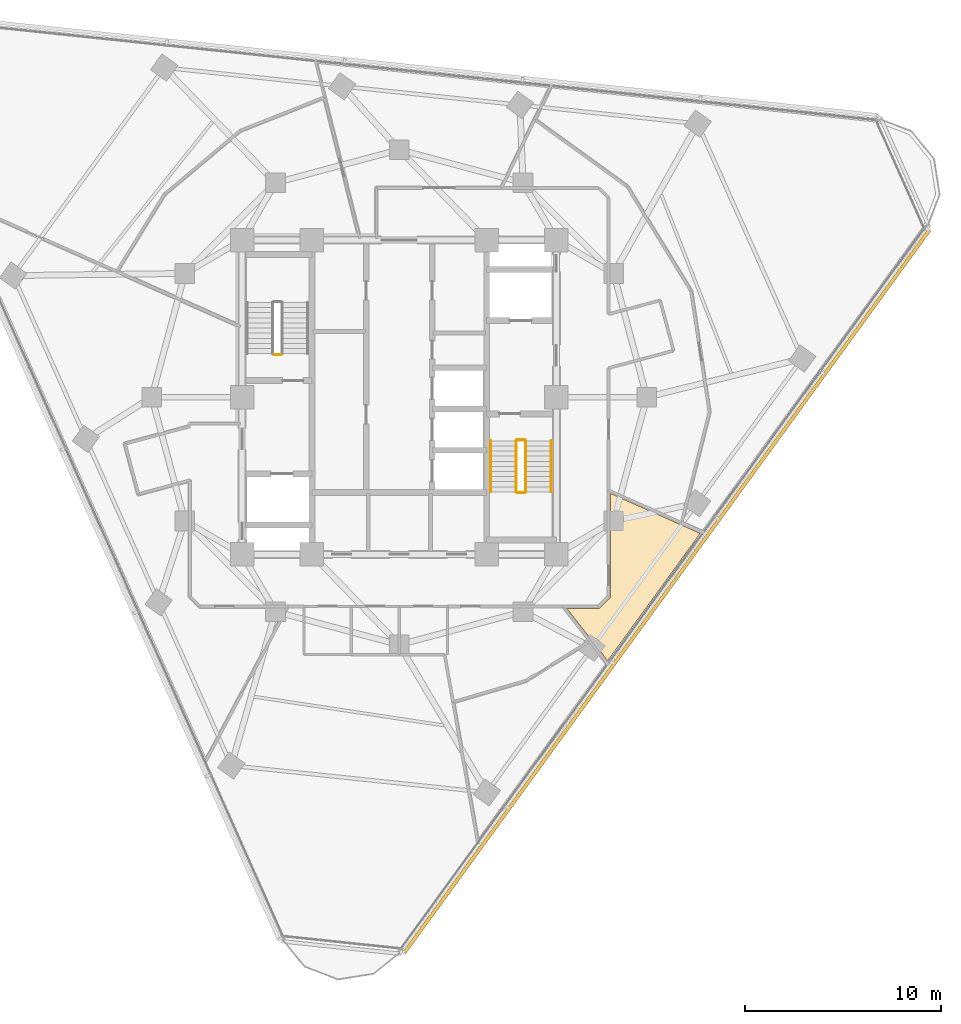
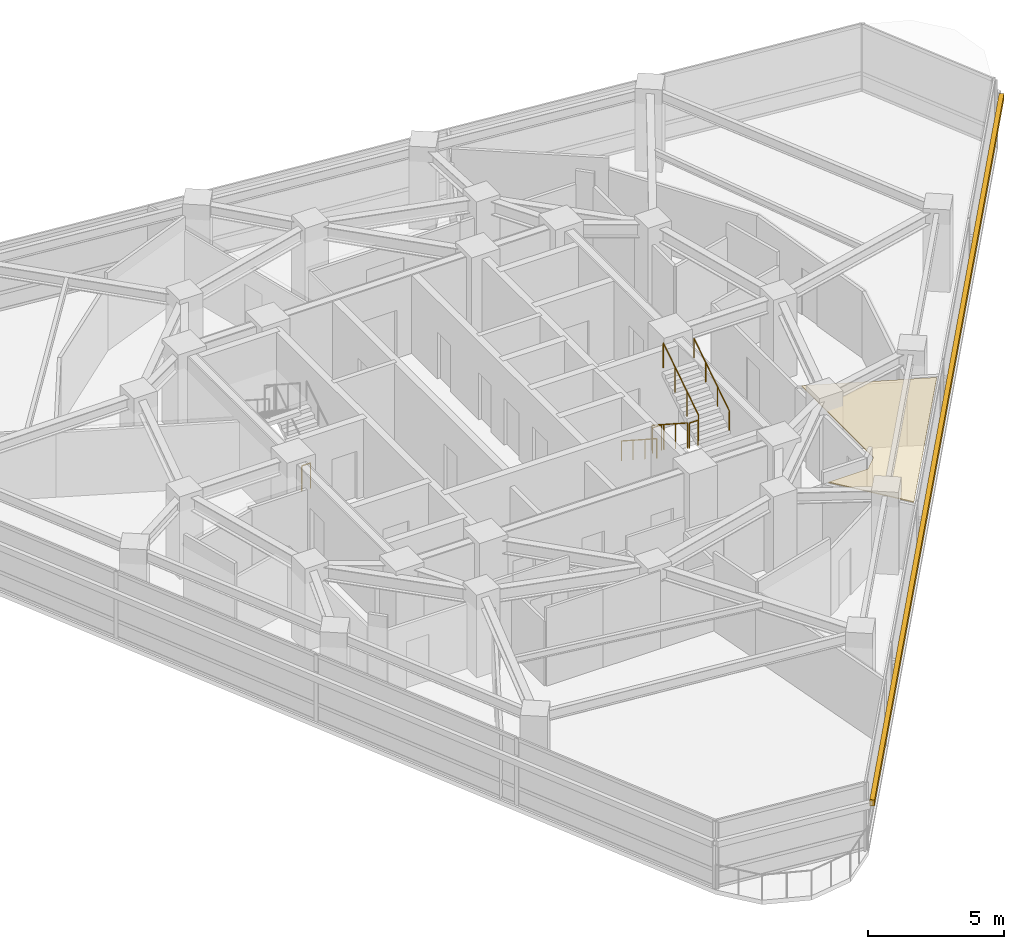
# One storey, part 13 of 15: 7 railings, 1 covering, 1 shading device.
"""IFC4 building model written with IfcOpenShell, lengths in metres."""

from ifc_helpers import new_model, si_unit, direction, frame, origin, origin_2d, place, context, subcontext, project, spatial, polyline, rectangle, circle, outline, extrude, material, layer, layer_set, type_object, element, save


model = new_model("IFC4")

# Units and contexts
model_context = context("Model", 3, precision=1e-05, world=origin(), true_north=direction((0.0, 1.0)))
body_context = subcontext(model_context, "Body", "Model", "MODEL_VIEW")
ifc_project = project(units=[si_unit("LENGTHUNIT", "METRE"), si_unit("AREAUNIT", "SQUARE_METRE"), si_unit("VOLUMEUNIT", "CUBIC_METRE"), si_unit("PLANEANGLEUNIT", "RADIAN"), si_unit("MASSUNIT", "GRAM", prefix="KILO")], contexts=[model_context])

# Site, building, storey
site_placement = place(None, origin())
site = spatial("IfcSite", under=ifc_project, at=site_placement, CompositionType="ELEMENT")
building_placement = place(site_placement, origin())
building = spatial("IfcBuilding", under=site, at=building_placement, Name="Terralouvre Media Tower", CompositionType="ELEMENT")
storey_placement = place(building_placement, frame((0.0, 0.0, 233.699951171875)))
storey = spatial("IfcBuildingStorey", under=building, at=storey_placement, Name="L60", CompositionType="ELEMENT", Elevation=233.699951171875)

# Covering
ifc_material_1 = material(Name="Perforated aluminium acoustic ceiling baffle", Category="aluminium")
ifc_layer_1 = layer(ifc_material_1, 0.0400390625, Name="Perforated Acoustic Metal Tile Ceiling CL-AC1")
ifc_layer_set_1 = layer_set([ifc_layer_1], Name="Perforated aluminium acoustic ceiling baffle")
covering_type = type_object("IfcCoveringType", Name="Perforated Acoustic Metal Tile Ceiling CL-AC1", PredefinedType="CEILING", material=ifc_layer_set_1)
covering_placement = place(storey_placement, frame((0.0, 0.0, 2.97998046875), z_axis=(0.0, 0.0, 1.0), x_axis=(0.587785252292, 0.809016994375, 0.0)))
element("IfcCovering", 1, at=covering_placement, inside=storey, type_object=covering_type, Name="L60 OSINT Verification Control Room 6 Acoustic Ceiling", PredefinedType="CEILING", context=body_context, shape_type="SweptSolid", body=[
    extrude(outline(polyline([(2.357666015625, -11.57470703125), (-1.892822265625, -14.662841796875), (-1.901123046875, -14.668212890625), (-1.90966796875, -14.6728515625), (-1.918701171875, -14.676513671875), (-1.92822265625, -14.67919921875), (-1.93798828125, -14.68115234375), (-1.94775390625, -14.681884765625), (-1.95751953125, -14.681884765625), (-1.96728515625, -14.680908203125), (-2.665771484375, -14.570068359375), (-2.67529296875, -14.568115234375), (-2.6845703125, -14.565185546875), (-2.693603515625, -14.561279296875), (-2.7021484375, -14.556640625), (-2.71044921875, -14.55126953125), (-2.718017578125, -14.544921875), (-2.724853515625, -14.537841796875), (-2.73095703125, -14.5302734375), (-3.685546875, -13.21630859375), (-4.245361328125, -15.166748046875), (-4.6171875, -16.46435546875), (3.397705078125, -16.46484375), (3.1708984375, -15.399658203125), (2.357666015625, -11.57470703125)])), origin(), (0.0, 0.0, 1.0), 0.0400390625),
])

# Railings
ifc_material_2 = material(Name="Stainless steel 316 handrail and balustrade", Category="steel")
ifc_layer_2 = layer(ifc_material_2, 0.050048828125, Name="Stair Flight Wall Handrail HR-INT1")
ifc_layer_set_2 = layer_set([ifc_layer_2], Name="Stainless steel 316 handrail and balustrade")
railing_type_1 = type_object("IfcRailingType", Name="Stair Flight Wall Handrail HR-INT1", PredefinedType="HANDRAIL", material=ifc_layer_set_2)
railing_1_placement = place(storey_placement, frame((4.64990234375, -2.219970703125, 0.168212890625)))
element("IfcRailing", 2, at=railing_1_placement, inside=storey, type_object=railing_type_1, Name="L60 ST-02 stair handrail 1", PredefinedType="HANDRAIL", context=body_context, shape_type="SweptSolid", body=[
    extrude(circle(Radius=0.02392578125, at=origin_2d()), frame((0.0, 0.0, 0.8759765625), z_axis=(0.0, -0.839648411786, 0.543130320075), x_axis=(1.0, 0.0, 0.0)), (0.0, 0.0, 1.0), 3.0966796875),
    extrude(circle(Radius=0.02099609375, at=origin_2d()), origin(), (0.0, 0.0, 1.0), 0.851806640625),
    extrude(circle(Radius=0.02099609375, at=origin_2d()), frame((0.0, -0.86669921875, 0.560546875)), (0.0, 0.0, 1.0), 0.851806640625),
    extrude(circle(Radius=0.02099609375, at=origin_2d()), frame((0.0, -1.7333984375, 1.121337890625)), (0.0, 0.0, 1.0), 0.851806640625),
    extrude(circle(Radius=0.02099609375, at=origin_2d()), frame((0.0, -2.60009765625, 1.681884765625)), (0.0, 0.0, 1.0), 0.851806640625),
])
railing_2_placement = place(storey_placement, frame((7.72998046875, -4.820068359375, 2.018310546875)))
element("IfcRailing", 3, at=railing_2_placement, inside=storey, type_object=railing_type_1, Name="L60 ST-02 stair handrail 2", PredefinedType="HANDRAIL", context=body_context, shape_type="SweptSolid", body=[
    extrude(circle(Radius=0.02392578125, at=origin_2d()), frame((0.0, 0.0, 0.8759765625), z_axis=(0.0, 0.839684365666, 0.543074733399), x_axis=(-1.0, 0.0, 0.0)), (0.0, 0.0, 1.0), 3.096435546875),
    extrude(circle(Radius=0.02099609375, at=origin_2d()), origin(), (0.0, 0.0, 1.0), 0.851806640625),
    extrude(circle(Radius=0.02099609375, at=origin_2d()), frame((0.0, 0.86669921875, 0.560546875)), (0.0, 0.0, 1.0), 0.851806640625),
    extrude(circle(Radius=0.02099609375, at=origin_2d()), frame((0.0, 1.7333984375, 1.12109375)), (0.0, 0.0, 1.0), 0.851806640625),
    extrude(circle(Radius=0.02099609375, at=origin_2d()), frame((0.0, 2.60009765625, 1.681640625)), (0.0, 0.0, 1.0), 0.851806640625),
])
ifc_material_3 = material(Name="Stainless steel 316 handrail and balustrade", Category="steel")
ifc_layer_3 = layer(ifc_material_3, 0.050048828125, Name="Stairwell Safety Guardrail GR-INT1")
ifc_layer_set_3 = layer_set([ifc_layer_3], Name="Stainless steel 316 handrail and balustrade")
railing_type_2 = type_object("IfcRailingType", Name="Stairwell Safety Guardrail GR-INT1", PredefinedType="GUARDRAIL", material=ifc_layer_set_3)
railing_3_placement = place(storey_placement, frame((-6.0, 2.169921875, 0.0)))
element("IfcRailing", 4, at=railing_3_placement, inside=storey, type_object=railing_type_2, Name="L60 ST-01 stair guard 4", PredefinedType="GUARDRAIL", context=body_context, shape_type="SweptSolid", body=[
    extrude(circle(Radius=0.02392578125, at=origin_2d()), frame((0.0, 0.0, 1.1259765625), z_axis=(-1.0, 0.0, 0.0), x_axis=(0.0, -1.0, 0.0)), (0.0, 0.0, 1.0), 0.3798828125),
    extrude(circle(Radius=0.02099609375, at=origin_2d()), origin(), (0.0, 0.0, 1.0), 1.101806640625),
    extrude(circle(Radius=0.02099609375, at=origin_2d()), frame((-0.3798828125, 0.0, 0.0)), (0.0, 0.0, 1.0), 1.101806640625),
])
railing_4_placement = place(storey_placement, frame((5.949951171875, -2.219970703125, 0.168212890625)))
element("IfcRailing", 5, at=railing_4_placement, inside=storey, type_object=railing_type_2, Name="L60 ST-02 stair guard 1", PredefinedType="GUARDRAIL", context=body_context, shape_type="SweptSolid", body=[
    extrude(circle(Radius=0.02392578125, at=origin_2d()), frame((0.0, 0.0, 1.1259765625), z_axis=(0.0, -0.839648411786, 0.543130320075), x_axis=(1.0, 0.0, 0.0)), (0.0, 0.0, 1.0), 3.0966796875),
    extrude(circle(Radius=0.02099609375, at=origin_2d()), origin(), (0.0, 0.0, 1.0), 1.101806640625),
    extrude(circle(Radius=0.02099609375, at=origin_2d()), frame((0.0, -0.86669921875, 0.560546875)), (0.0, 0.0, 1.0), 1.101806640625),
    extrude(circle(Radius=0.02099609375, at=origin_2d()), frame((0.0, -1.7333984375, 1.121337890625)), (0.0, 0.0, 1.0), 1.101806640625),
    extrude(circle(Radius=0.02099609375, at=origin_2d()), frame((0.0, -2.60009765625, 1.681884765625)), (0.0, 0.0, 1.0), 1.101806640625),
])
railing_5_placement = place(storey_placement, frame((6.0, -4.8701171875, 1.85009765625)))
element("IfcRailing", 6, at=railing_5_placement, inside=storey, type_object=railing_type_2, Name="L60 ST-02 stair guard 2", PredefinedType="GUARDRAIL", context=body_context, shape_type="SweptSolid", body=[
    extrude(circle(Radius=0.02392578125, at=origin_2d()), frame((0.0, 0.0, 1.1259765625), z_axis=(1.0, 0.0, 0.0), x_axis=(0.0, 1.0, 0.0)), (0.0, 0.0, 1.0), 0.3798828125),
    extrude(circle(Radius=0.02099609375, at=origin_2d()), origin(), (0.0, 0.0, 1.0), 1.101806640625),
    extrude(circle(Radius=0.02099609375, at=origin_2d()), frame((0.3798828125, 0.0, 0.0)), (0.0, 0.0, 1.0), 1.101806640625),
])
railing_6_placement = place(storey_placement, frame((6.429931640625, -4.820068359375, 2.018310546875)))
element("IfcRailing", 7, at=railing_6_placement, inside=storey, type_object=railing_type_2, Name="L60 ST-02 stair guard 3", PredefinedType="GUARDRAIL", context=body_context, shape_type="SweptSolid", body=[
    extrude(circle(Radius=0.02392578125, at=origin_2d()), frame((0.0, 0.0, 1.1259765625), z_axis=(0.0, 0.839684365666, 0.543074733399), x_axis=(-1.0, 0.0, 0.0)), (0.0, 0.0, 1.0), 3.096435546875),
    extrude(circle(Radius=0.02099609375, at=origin_2d()), origin(), (0.0, 0.0, 1.0), 1.101806640625),
    extrude(circle(Radius=0.02099609375, at=origin_2d()), frame((0.0, 0.86669921875, 0.560546875)), (0.0, 0.0, 1.0), 1.101806640625),
    extrude(circle(Radius=0.02099609375, at=origin_2d()), frame((0.0, 1.7333984375, 1.12109375)), (0.0, 0.0, 1.0), 1.101806640625),
    extrude(circle(Radius=0.02099609375, at=origin_2d()), frame((0.0, 2.60009765625, 1.681640625)), (0.0, 0.0, 1.0), 1.101806640625),
])
railing_7_placement = place(storey_placement, frame((6.0, -2.169921875, 0.0)))
element("IfcRailing", 8, at=railing_7_placement, inside=storey, type_object=railing_type_2, Name="L60 ST-02 stair guard 4", PredefinedType="GUARDRAIL", context=body_context, shape_type="SweptSolid", body=[
    extrude(circle(Radius=0.02392578125, at=origin_2d()), frame((0.0, 0.0, 1.1259765625), z_axis=(1.0, 0.0, 0.0), x_axis=(0.0, 1.0, 0.0)), (0.0, 0.0, 1.0), 0.3798828125),
    extrude(circle(Radius=0.02099609375, at=origin_2d()), origin(), (0.0, 0.0, 1.0), 1.101806640625),
    extrude(circle(Radius=0.02099609375, at=origin_2d()), frame((0.3798828125, 0.0, 0.0)), (0.0, 0.0, 1.0), 1.101806640625),
])

# Shading device
ifc_material_4 = material(Name="Extruded terracotta baguette sunshade louvres", Category="masonry")
shading_device_type = type_object("IfcShadingDeviceType", Name="Terracotta Baguette Sunshade Louvre Screen TB-LV1", PredefinedType="USERDEFINED", material=ifc_material_4)
shading_device_placement = place(storey_placement, frame((13.611572265625, -9.889404296875, 2.02392578125), z_axis=(0.0, 0.0, 1.0), x_axis=(0.587785300879, 0.809016959074, 0.0)))
element("IfcShadingDevice", 9, at=shading_device_placement, inside=storey, type_object=shading_device_type, Name="CW-L60-F0 Terracotta Baguette Sunshade Louvre", ObjectType="BAGUETTE", PredefinedType="USERDEFINED", context=body_context, shape_type="SweptSolid", body=[
    extrude(rectangle(XDim=45.5, YDim=0.179931640625, at=origin_2d()), origin(), (0.0, 0.0, 1.0), 0.280029296875),
])

save(model, "model.ifc")
